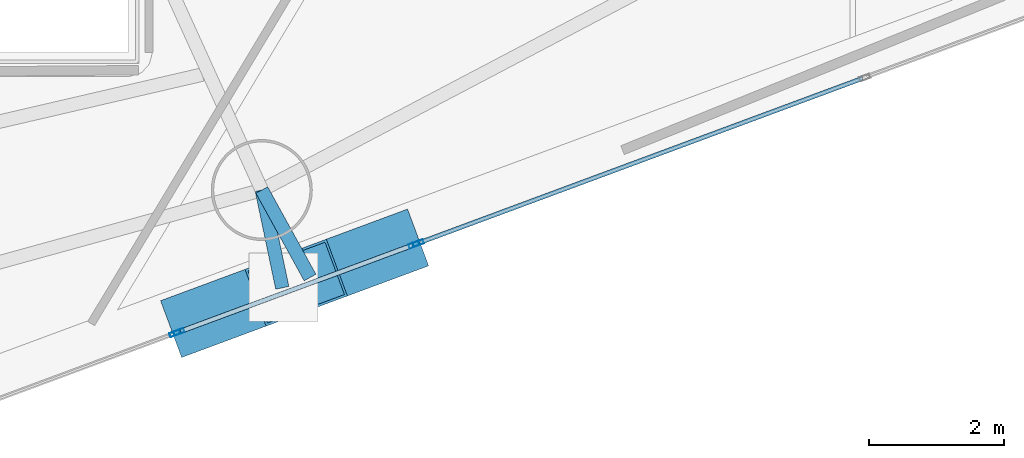
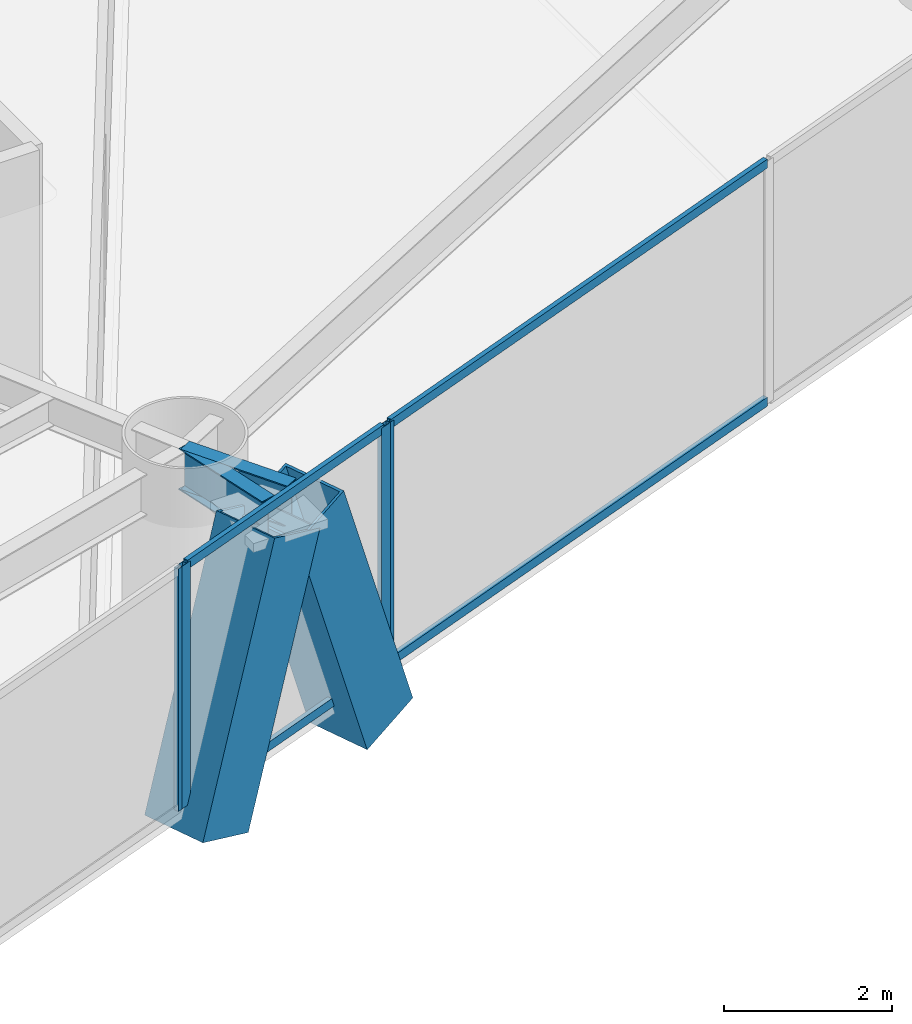
# One storey, part 4 of 21: 10 members, 2 beams, 3 elements without a shape of their own.
"""IFC4 building model written with IfcOpenShell, lengths in metres."""

from ifc_helpers import new_model, si_unit, direction, frame, origin, origin_2d, place, context, subcontext, project, spatial, hollow_rectangle, i_section, extrude, material, layer, layer_set, material_profile, profile_set, type_object, element, aggregate, save


model = new_model("IFC4")

# Units and contexts
model_context = context("Model", 3, precision=1e-05, world=origin(), true_north=direction((0.0, 1.0)))
body_context = subcontext(model_context, "Body", "Model", "MODEL_VIEW")
ifc_project = project(units=[si_unit("LENGTHUNIT", "METRE"), si_unit("AREAUNIT", "SQUARE_METRE"), si_unit("VOLUMEUNIT", "CUBIC_METRE"), si_unit("PLANEANGLEUNIT", "RADIAN"), si_unit("MASSUNIT", "GRAM", prefix="KILO")], contexts=[model_context])

# Site, building, storey
site_placement = place(None, origin())
site = spatial("IfcSite", under=ifc_project, at=site_placement, CompositionType="ELEMENT")
building_placement = place(site_placement, origin())
building = spatial("IfcBuilding", under=site, at=building_placement, Name="Qianvela Tower", CompositionType="ELEMENT")
storey_placement = place(building_placement, frame((0.0, 0.0, 127.39990234375)))
storey = spatial("IfcBuildingStorey", under=building, at=storey_placement, Name="L32", CompositionType="ELEMENT", Elevation=127.39990234375)

# Beams
ifc_material_1 = material(Name="Steel Q355B", Category="steel")
ifc_material_profile_1 = material_profile(ifc_material_1, i_section(OverallWidth=0.199951171875, OverallDepth=0.60009765625, WebThickness=0.010986328125, FlangeThickness=0.01708984375, at=origin_2d()), Name="HN600x200x11x17")
ifc_profile_set_1 = profile_set([ifc_material_profile_1], Name="Steel Q355B")
beam_type = type_object("IfcBeamType", Name="BM-HN600-GIRD", PredefinedType="BEAM", material=ifc_profile_set_1)
for number, where, z_axis, x_axis, name in (
    (1, (41.988037109375, 15.95703125, 3.218017578125), (0.205057326227, -0.978749964475, 0.0), (0.978749964475, 0.205057326227, 0.0), "L32 Mega-Brace Column Tie Bracket F3-1"),
    (2, (41.988037109375, 15.95703125, 3.218017578125), (0.482833867907, -0.875711970914, 0.0), (0.875711970914, 0.482833867907, 0.0), "L32 Mega-Brace Column Tie Bracket F3-2"),
):
    element("IfcBeam", number, at=place(storey_placement, frame(where, z_axis=z_axis, x_axis=x_axis)), inside=storey, type_object=beam_type, Name=name, PredefinedType="BEAM", context=body_context, shape_type="SweptSolid", body=[
        extrude(i_section(OverallWidth=0.199951171875, OverallDepth=0.60009765625, WebThickness=0.010986328125, FlangeThickness=0.01708984375, at=origin_2d()), origin(), (0.0, 0.0, 1.0), 1.484619140625),
    ])

# Curtain wall, members
ifc_material_2 = material(Name="Anodised Architectural Aluminium and Insulated Spandrel Panel", Category="aluminium")
ifc_layer_1 = layer(ifc_material_2, 0.179931640625)
ifc_layer_set_1 = layer_set([ifc_layer_1], Name="Anodised Architectural Aluminium and Insulated Spandrel Panel")
curtain_wall_type_1 = type_object("IfcCurtainWallType", Name="CW-BRACEBAY", PredefinedType="USERDEFINED", material=ifc_layer_set_1)
curtain_wall_1_placement = place(storey_placement, origin())
curtain_wall_1 = element("IfcCurtainWall", 3, at=curtain_wall_1_placement, inside=storey, type_object=curtain_wall_type_1, Name="L32 CW-BRACEBAY Curtain Wall 06B", ObjectType="CURTAIN_WALL_SYSTEM", PredefinedType="USERDEFINED")
ifc_material_3 = material(Name="Anodised Architectural Aluminium 6063-T6", Category="aluminium")
ifc_material_profile_2 = material_profile(ifc_material_3, hollow_rectangle(XDim=0.06494140625, YDim=0.159912109375, WallThickness=0.0048828125, at=origin_2d()), Name="ALU-MULL-65x160")
ifc_profile_set_2 = profile_set([ifc_material_profile_2], Name="Anodised Architectural Aluminium 6063-T6")
member_type_1 = type_object("IfcMemberType", Name="CW-BRACEBAY-MULL", PredefinedType="MULLION", material=ifc_profile_set_2)
member_1_placement = place(storey_placement, frame((40.758056640625, 13.849365234375, 0.0), z_axis=(0.0, 0.0, 1.0), x_axis=(-0.347807571135, 0.93756594086, 0.0)))
member_1 = element("IfcMember", 4, at=member_1_placement, type_object=member_type_1, Name="CW-9 mullion 1", PredefinedType="MULLION", context=body_context, shape_type="SweptSolid", body=[
    extrude(hollow_rectangle(XDim=0.06494140625, YDim=0.159912109375, WallThickness=0.0048828125, at=origin_2d()), origin(), (0.0, 0.0, 1.0), 3.52001953125),
])
member_2_placement = place(storey_placement, frame((44.25048828125, 15.14501953125, 0.0), z_axis=(0.0, 0.0, 1.0), x_axis=(-0.347807571135, 0.93756594086, 0.0)))
member_2 = element("IfcMember", 5, at=member_2_placement, type_object=member_type_1, Name="CW-9 mullion 2", PredefinedType="MULLION", context=body_context, shape_type="SweptSolid", body=[
    extrude(hollow_rectangle(XDim=0.06494140625, YDim=0.159912109375, WallThickness=0.0048828125, at=origin_2d()), origin(), (0.0, 0.0, 1.0), 3.52001953125),
])
ifc_material_4 = material(Name="Anodised Architectural Aluminium 6063-T6", Category="aluminium")
ifc_material_profile_3 = material_profile(ifc_material_4, hollow_rectangle(XDim=0.06494140625, YDim=0.1298828125, WallThickness=0.00439453125, at=origin_2d()), Name="ALU-TRAN-65x130")
ifc_profile_set_3 = profile_set([ifc_material_profile_3], Name="Anodised Architectural Aluminium 6063-T6")
member_type_2 = type_object("IfcMemberType", Name="CW-BRACEBAY-TRAN", PredefinedType="USERDEFINED", material=ifc_profile_set_3)
member_3_placement = place(storey_placement, frame((40.78857421875, 13.860595703125, 0.03271484375), z_axis=(0.937543411806, 0.347868295451, 0.0), x_axis=(-0.347868295451, 0.937543411806, 0.0)))
member_3 = element("IfcMember", 6, at=member_3_placement, type_object=member_type_2, Name="CW-9 transom 1.1", ObjectType="TRANSOM", PredefinedType="USERDEFINED", context=body_context, shape_type="SweptSolid", body=[
    extrude(hollow_rectangle(XDim=0.06494140625, YDim=0.1298828125, WallThickness=0.00439453125, at=origin_2d()), origin(), (0.0, 0.0, 1.0), 3.659912109375),
])
member_4_placement = place(storey_placement, frame((40.78857421875, 13.860595703125, 3.487548828125), z_axis=(0.937543411806, 0.347868295451, 0.0), x_axis=(-0.347868295451, 0.937543411806, 0.0)))
member_4 = element("IfcMember", 7, at=member_4_placement, type_object=member_type_2, Name="CW-9 transom 1.2", ObjectType="TRANSOM", PredefinedType="USERDEFINED", context=body_context, shape_type="SweptSolid", body=[
    extrude(hollow_rectangle(XDim=0.06494140625, YDim=0.1298828125, WallThickness=0.00439453125, at=origin_2d()), origin(), (0.0, 0.0, 1.0), 3.659912109375),
])
aggregate(curtain_wall_1, [member_1, member_2, member_3, member_4])

# Curtain wall, member
ifc_material_5 = material(Name="Anodised Architectural Aluminium and Low-E Glass", Category="aluminium")
ifc_layer_2 = layer(ifc_material_5, 0.169921875)
ifc_layer_set_2 = layer_set([ifc_layer_2], Name="Anodised Architectural Aluminium and Low-E Glass")
curtain_wall_type_2 = type_object("IfcCurtainWallType", Name="CW-COLIV-Z34", PredefinedType="USERDEFINED", material=ifc_layer_set_2)
curtain_wall_2_placement = place(storey_placement, origin())
curtain_wall_2 = element("IfcCurtainWall", 8, at=curtain_wall_2_placement, inside=storey, type_object=curtain_wall_type_2, Name="L32 CW-COLIV-Z34 Curtain Wall 06A", ObjectType="CURTAIN_WALL_SYSTEM", PredefinedType="USERDEFINED")
ifc_material_6 = material(Name="Anodised Architectural Aluminium 6063-T6", Category="aluminium")
ifc_material_profile_4 = material_profile(ifc_material_6, hollow_rectangle(XDim=0.06494140625, YDim=0.159912109375, WallThickness=0.0048828125, at=origin_2d()), Name="ALU-MULL-65x160")
ifc_profile_set_4 = profile_set([ifc_material_profile_4], Name="Anodised Architectural Aluminium 6063-T6")
member_type_3 = type_object("IfcMemberType", Name="CW-COLIV-Z34-MULL", PredefinedType="MULLION", material=ifc_profile_set_4)
member_5_placement = place(storey_placement, frame((40.697021484375, 13.826904296875, 0.0), z_axis=(0.0, 0.0, 1.0), x_axis=(-0.347798824556, 0.937569185521, 0.0)))
member_5 = element("IfcMember", 9, at=member_5_placement, type_object=member_type_3, Name="CW-4 mullion 3", PredefinedType="MULLION", context=body_context, shape_type="SweptSolid", body=[
    extrude(hollow_rectangle(XDim=0.06494140625, YDim=0.159912109375, WallThickness=0.0048828125, at=origin_2d()), origin(), (0.0, 0.0, 1.0), 3.52001953125),
])
aggregate(curtain_wall_2, [member_5])

# Curtain wall, members
curtain_wall_3_placement = place(storey_placement, origin())
curtain_wall_3 = element("IfcCurtainWall", 10, at=curtain_wall_3_placement, inside=storey, type_object=curtain_wall_type_2, Name="L32 CW-COLIV-Z34 Curtain Wall 06C", ObjectType="CURTAIN_WALL_SYSTEM", PredefinedType="USERDEFINED")
member_6_placement = place(storey_placement, frame((44.3115234375, 15.167724609375, 0.0), z_axis=(0.0, 0.0, 1.0), x_axis=(-0.347802033927, 0.937567994972, 0.0)))
member_6 = element("IfcMember", 11, at=member_6_placement, type_object=member_type_3, Name="CW-4 mullion 1", PredefinedType="MULLION", context=body_context, shape_type="SweptSolid", body=[
    extrude(hollow_rectangle(XDim=0.06494140625, YDim=0.159912109375, WallThickness=0.0048828125, at=origin_2d()), origin(), (0.0, 0.0, 1.0), 3.52001953125),
])
ifc_material_7 = material(Name="Anodised Architectural Aluminium 6063-T6", Category="aluminium")
ifc_material_profile_5 = material_profile(ifc_material_7, hollow_rectangle(XDim=0.06494140625, YDim=0.1298828125, WallThickness=0.00439453125, at=origin_2d()), Name="ALU-TRAN-65x130")
ifc_profile_set_5 = profile_set([ifc_material_profile_5], Name="Anodised Architectural Aluminium 6063-T6")
member_type_4 = type_object("IfcMemberType", Name="CW-COLIV-Z34-TRAN", PredefinedType="USERDEFINED", material=ifc_profile_set_5)
member_7_placement = place(storey_placement, frame((44.342041015625, 15.178955078125, 0.03271484375), z_axis=(0.937567501086, 0.347803365291, 0.0), x_axis=(-0.347803365291, 0.937567501086, 0.0)))
member_7 = element("IfcMember", 12, at=member_7_placement, type_object=member_type_4, Name="CW-4 transom 1.1", ObjectType="TRANSOM", PredefinedType="USERDEFINED", context=body_context, shape_type="SweptSolid", body=[
    extrude(hollow_rectangle(XDim=0.06494140625, YDim=0.1298828125, WallThickness=0.00439453125, at=origin_2d()), origin(), (0.0, 0.0, 1.0), 7.007568359375),
])
member_8_placement = place(storey_placement, frame((44.342041015625, 15.178955078125, 3.487548828125), z_axis=(0.937567501086, 0.347803365291, 0.0), x_axis=(-0.347803365291, 0.937567501086, 0.0)))
member_8 = element("IfcMember", 13, at=member_8_placement, type_object=member_type_4, Name="CW-4 transom 1.2", ObjectType="TRANSOM", PredefinedType="USERDEFINED", context=body_context, shape_type="SweptSolid", body=[
    extrude(hollow_rectangle(XDim=0.06494140625, YDim=0.1298828125, WallThickness=0.00439453125, at=origin_2d()), origin(), (0.0, 0.0, 1.0), 7.007568359375),
])
aggregate(curtain_wall_3, [member_6, member_7, member_8])

# Members
ifc_material_8 = material(Name="Steel Q420GJC", Category="steel")
ifc_material_profile_6 = material_profile(ifc_material_8, hollow_rectangle(XDim=0.89990234375, YDim=0.89990234375, WallThickness=0.035888671875, at=origin_2d()), Name="MBOX-900x900x36")
ifc_profile_set_6 = profile_set([ifc_material_profile_6], Name="Steel Q420GJC")
member_type_5 = type_object("IfcMemberType", Name="MBR-MBRACE-900", PredefinedType="BRACE", material=ifc_profile_set_6)
member_9_placement = place(storey_placement, frame((41.0380859375, 14.03857421875, -0.48193359375), z_axis=(0.318825601516, 0.118272011773, 0.940405214282), x_axis=(-0.347801648661, 0.937568137891, 0.0)))
element("IfcMember", 14, at=member_9_placement, inside=storey, type_object=member_type_5, Name="L32 Tier 5 Exterior Mega-Brace F3A", PredefinedType="BRACE", context=body_context, shape_type="SweptSolid", body=[
    extrude(hollow_rectangle(XDim=0.89990234375, YDim=0.89990234375, WallThickness=0.035888671875, at=origin_2d()), origin(), (0.0, 0.0, 1.0), 3.934326171875),
])
member_10_placement = place(storey_placement, frame((43.911376953125, 15.1044921875, -0.48193359375), z_axis=(-0.30799960137, -0.114237812487, 0.944503026863), x_axis=(0.347753026302, -0.937586173478, 0.0)))
element("IfcMember", 15, at=member_10_placement, inside=storey, type_object=member_type_5, Name="L32 Tier 5 Exterior Mega-Brace F3B", PredefinedType="BRACE", context=body_context, shape_type="SweptSolid", body=[
    extrude(hollow_rectangle(XDim=0.89990234375, YDim=0.89990234375, WallThickness=0.035888671875, at=origin_2d()), origin(), (0.0, 0.0, 1.0), 3.917236328125),
])

save(model, "model.ifc")
